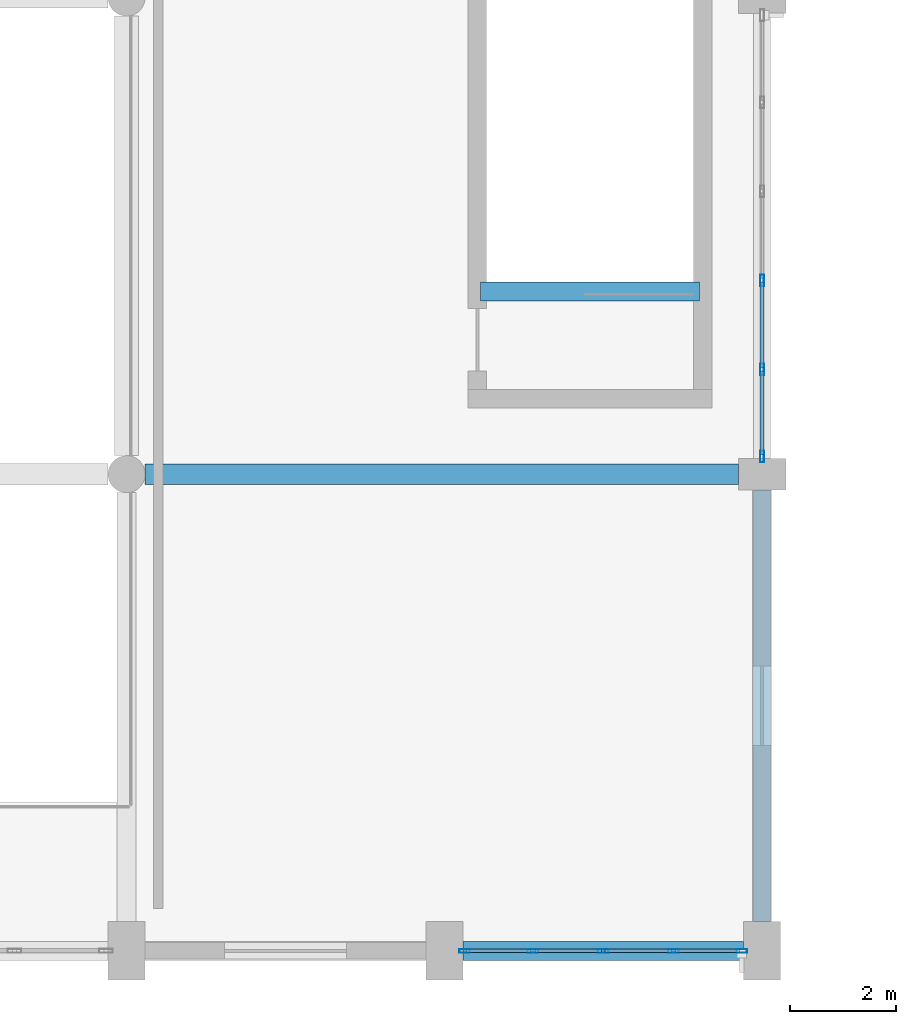
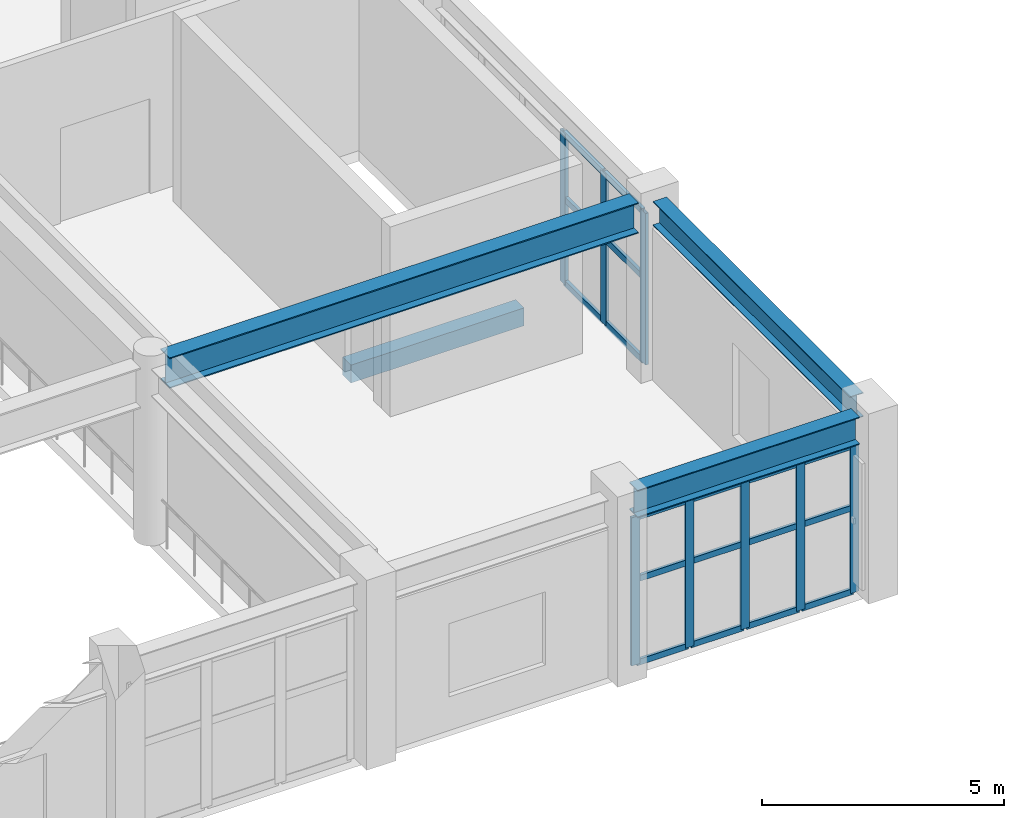
# One storey, part 24 of 80: 26 members, 4 beams, 2 elements without a shape of their own.
"""IFC4 building model written with IfcOpenShell, lengths in metres."""

from ifc_helpers import new_model, si_unit, direction, frame, origin, origin_2d, place, context, subcontext, project, spatial, rectangle, hollow_rectangle, i_section, extrude, material, layer, layer_set, material_profile, profile_set, type_object, element, aggregate, save


model = new_model("IFC4")

# Units and contexts
model_context = context("Model", 3, precision=1e-05, world=origin(), true_north=direction((0.0, 1.0)))
body_context = subcontext(model_context, "Body", "Model", "MODEL_VIEW")
ifc_project = project(units=[si_unit("LENGTHUNIT", "METRE"), si_unit("AREAUNIT", "SQUARE_METRE"), si_unit("VOLUMEUNIT", "CUBIC_METRE"), si_unit("PLANEANGLEUNIT", "RADIAN"), si_unit("MASSUNIT", "GRAM", prefix="KILO")], contexts=[model_context])

# Site, building, storey
site_placement = place(None, origin())
site = spatial("IfcSite", under=ifc_project, at=site_placement, CompositionType="ELEMENT")
building_placement = place(site_placement, origin())
building = spatial("IfcBuilding", under=site, at=building_placement, Name="Vaelkrest Opera House", CompositionType="ELEMENT")
storey_placement = place(building_placement, frame((0.0, 0.0, 15.0)))
storey = spatial("IfcBuildingStorey", under=building, at=storey_placement, Name="L03", CompositionType="ELEMENT", Elevation=15.0)

# Beam
ifc_material_1 = material(Name="Steel A992 Gr50", Category="steel")
ifc_material_profile_1 = material_profile(ifc_material_1, i_section(OverallWidth=0.381103515625, OverallDepth=0.77294921875, WebThickness=0.0166015625, FlangeThickness=0.027099609375, at=origin_2d()), Name="W30X173")
ifc_profile_set_1 = profile_set([ifc_material_profile_1], Name="Steel A992 Gr50")
beam_type_1 = type_object("IfcBeamType", Name="B11", PredefinedType="BEAM", material=ifc_profile_set_1)
beam_1_placement = place(storey_placement, frame((18.35009765625, -46.800048828125, 4.118408203125), z_axis=(1.0, 0.0, 0.0), x_axis=(0.0, 1.0, 0.0)))
element("IfcBeam", 1, at=beam_1_placement, inside=storey, type_object=beam_type_1, Name="Beam BM-V1-L03-0433", PredefinedType="BEAM", context=body_context, shape_type="SweptSolid", body=[
    extrude(i_section(OverallWidth=0.381103515625, OverallDepth=0.77294921875, WebThickness=0.0166015625, FlangeThickness=0.027099609375, at=origin_2d()), origin(), (0.0, 0.0, 1.0), 11.199951171875),
])

# Curtain wall, members
ifc_material_2 = material(Name="Dark bronze anodized aluminium", Category="aluminium")
ifc_layer_1 = layer(ifc_material_2, 0.18994140625)
ifc_layer_set_1 = layer_set([ifc_layer_1], Name="Dark bronze anodized aluminium")
curtain_wall_type_1 = type_object("IfcCurtainWallType", Name="CW02", PredefinedType="NOTDEFINED", material=ifc_layer_set_1)
curtain_wall_1_placement = place(storey_placement, origin())
curtain_wall_1 = element("IfcCurtainWall", 2, at=curtain_wall_1_placement, inside=storey, type_object=curtain_wall_type_1, Name="Curtain wall CW-L03-042", PredefinedType="NOTDEFINED")
ifc_material_profile_2 = material_profile(ifc_material_2, hollow_rectangle(XDim=0.070068359375, YDim=0.199951171875, WallThickness=0.004150390625, at=origin_2d()), Name="CWM70X200")
ifc_profile_set_2 = profile_set([ifc_material_profile_2], Name="Dark bronze anodized aluminium")
member_type_1 = type_object("IfcMemberType", Name="CWM02", PredefinedType="MULLION", material=ifc_profile_set_2)
member_1_placement = place(storey_placement, frame((29.616943359375, -55.800048828125, 0.0), z_axis=(0.0, 0.0, 1.0), x_axis=(0.0, -1.0, 0.0)))
member_1 = element("IfcMember", 3, at=member_1_placement, type_object=member_type_1, Name="CW02 mullion 1", PredefinedType="MULLION", context=body_context, shape_type="SweptSolid", body=[
    extrude(hollow_rectangle(XDim=0.070068359375, YDim=0.199951171875, WallThickness=0.004150390625, at=origin_2d()), origin(), (0.0, 0.0, 1.0), 3.7451171875),
])
member_2_placement = place(storey_placement, frame((28.325927734375, -55.800048828125, 0.0), z_axis=(0.0, 0.0, 1.0), x_axis=(0.0, -1.0, 0.0)))
member_2 = element("IfcMember", 4, at=member_2_placement, type_object=member_type_1, Name="CW02 mullion 2", PredefinedType="MULLION", context=body_context, shape_type="SweptSolid", body=[
    extrude(hollow_rectangle(XDim=0.070068359375, YDim=0.199951171875, WallThickness=0.004150390625, at=origin_2d()), origin(), (0.0, 0.0, 1.0), 3.7451171875),
])
member_3_placement = place(storey_placement, frame((27.0, -55.800048828125, 0.0), z_axis=(0.0, 0.0, 1.0), x_axis=(0.0, -1.0, 0.0)))
member_3 = element("IfcMember", 5, at=member_3_placement, type_object=member_type_1, Name="CW02 mullion 3", PredefinedType="MULLION", context=body_context, shape_type="SweptSolid", body=[
    extrude(hollow_rectangle(XDim=0.070068359375, YDim=0.199951171875, WallThickness=0.004150390625, at=origin_2d()), origin(), (0.0, 0.0, 1.0), 3.7451171875),
])
member_4_placement = place(storey_placement, frame((25.674072265625, -55.800048828125, 0.0), z_axis=(0.0, 0.0, 1.0), x_axis=(0.0, -1.0, 0.0)))
member_4 = element("IfcMember", 6, at=member_4_placement, type_object=member_type_1, Name="CW02 mullion 4", PredefinedType="MULLION", context=body_context, shape_type="SweptSolid", body=[
    extrude(hollow_rectangle(XDim=0.070068359375, YDim=0.199951171875, WallThickness=0.004150390625, at=origin_2d()), origin(), (0.0, 0.0, 1.0), 3.7451171875),
])
member_5_placement = place(storey_placement, frame((24.383056640625, -55.800048828125, 0.0), z_axis=(0.0, 0.0, 1.0), x_axis=(0.0, -1.0, 0.0)))
member_5 = element("IfcMember", 7, at=member_5_placement, type_object=member_type_1, Name="CW02 mullion 5", PredefinedType="MULLION", context=body_context, shape_type="SweptSolid", body=[
    extrude(hollow_rectangle(XDim=0.070068359375, YDim=0.199951171875, WallThickness=0.004150390625, at=origin_2d()), origin(), (0.0, 0.0, 1.0), 3.7451171875),
])

ifc_layer_2 = layer(ifc_material_2, 0.199951171875)
ifc_layer_set_2 = layer_set([ifc_layer_2], Name="Dark bronze anodized aluminium")
curtain_wall_type_2 = type_object("IfcCurtainWallType", Name="CW03", PredefinedType="NOTDEFINED", material=ifc_layer_set_2)
curtain_wall_2_placement = place(storey_placement, origin())
curtain_wall_2 = element("IfcCurtainWall", 8, at=curtain_wall_2_placement, inside=storey, type_object=curtain_wall_type_2, Name="Curtain wall CW-L03-054", PredefinedType="NOTDEFINED")
ifc_material_profile_3 = material_profile(ifc_material_2, hollow_rectangle(XDim=0.074951171875, YDim=0.219970703125, WallThickness=0.00439453125, at=origin_2d()), Name="CWM75X220")
ifc_profile_set_3 = profile_set([ifc_material_profile_3], Name="Dark bronze anodized aluminium")
member_type_2 = type_object("IfcMemberType", Name="CWM03", PredefinedType="MULLION", material=ifc_profile_set_3)
member_6_placement = place(storey_placement, frame((30.0, -43.140380859375, 0.0), z_axis=(0.0, 0.0, 1.0), x_axis=(1.0, 0.0, 0.0)))
member_6 = element("IfcMember", 9, at=member_6_placement, type_object=member_type_2, Name="CW03 mullion 4", PredefinedType="MULLION", context=body_context, shape_type="SweptSolid", body=[
    extrude(hollow_rectangle(XDim=0.074951171875, YDim=0.219970703125, WallThickness=0.00439453125, at=origin_2d()), origin(), (0.0, 0.0, 1.0), 3.8291015625),
])
member_7_placement = place(storey_placement, frame((30.0, -44.8212890625, 0.0), z_axis=(0.0, 0.0, 1.0), x_axis=(1.0, 0.0, 0.0)))
member_7 = element("IfcMember", 10, at=member_7_placement, type_object=member_type_2, Name="CW03 mullion 5", PredefinedType="MULLION", context=body_context, shape_type="SweptSolid", body=[
    extrude(hollow_rectangle(XDim=0.074951171875, YDim=0.219970703125, WallThickness=0.00439453125, at=origin_2d()), origin(), (0.0, 0.0, 1.0), 3.8291015625),
])
member_8_placement = place(storey_placement, frame((30.0, -46.464599609375, 0.0), z_axis=(0.0, 0.0, 1.0), x_axis=(1.0, 0.0, 0.0)))
member_8 = element("IfcMember", 11, at=member_8_placement, type_object=member_type_2, Name="CW03 mullion 6", PredefinedType="MULLION", context=body_context, shape_type="SweptSolid", body=[
    extrude(hollow_rectangle(XDim=0.074951171875, YDim=0.219970703125, WallThickness=0.00439453125, at=origin_2d()), origin(), (0.0, 0.0, 1.0), 3.8291015625),
])

# Member
ifc_material_profile_4 = material_profile(ifc_material_2, hollow_rectangle(XDim=0.070068359375, YDim=0.14990234375, WallThickness=0.004150390625, at=origin_2d()), Name="CWT70X150")
ifc_profile_set_4 = profile_set([ifc_material_profile_4], Name="Dark bronze anodized aluminium")
member_type_3 = type_object("IfcMemberType", Name="CWT02", PredefinedType="USERDEFINED", material=ifc_profile_set_4)
member_9_placement = place(storey_placement, frame((29.58203125, -55.800048828125, 0.034912109375), z_axis=(-1.0, 0.0, 0.0), x_axis=(0.0, -1.0, 0.0)))
member_9 = element("IfcMember", 12, at=member_9_placement, type_object=member_type_3, Name="CW02 transom 1.1", ObjectType="TRANSOM", PredefinedType="USERDEFINED", context=body_context, shape_type="SweptSolid", body=[
    extrude(hollow_rectangle(XDim=0.070068359375, YDim=0.14990234375, WallThickness=0.004150390625, at=origin_2d()), origin(), (0.0, 0.0, 1.0), 1.220947265625),
])

member_10_placement = place(storey_placement, frame((29.58203125, -55.800048828125, 2.14990234375), z_axis=(-1.0, 0.0, 0.0), x_axis=(0.0, -1.0, 0.0)))
member_10 = element("IfcMember", 13, at=member_10_placement, type_object=member_type_3, Name="CW02 transom 1.2", ObjectType="TRANSOM", PredefinedType="USERDEFINED", context=body_context, shape_type="SweptSolid", body=[
    extrude(hollow_rectangle(XDim=0.070068359375, YDim=0.14990234375, WallThickness=0.004150390625, at=origin_2d()), origin(), (0.0, 0.0, 1.0), 1.220947265625),
])

member_11_placement = place(storey_placement, frame((29.58203125, -55.800048828125, 3.7099609375), z_axis=(-1.0, 0.0, 0.0), x_axis=(0.0, -1.0, 0.0)))
member_11 = element("IfcMember", 14, at=member_11_placement, type_object=member_type_3, Name="CW02 transom 1.3", ObjectType="TRANSOM", PredefinedType="USERDEFINED", context=body_context, shape_type="SweptSolid", body=[
    extrude(hollow_rectangle(XDim=0.070068359375, YDim=0.14990234375, WallThickness=0.004150390625, at=origin_2d()), origin(), (0.0, 0.0, 1.0), 1.220947265625),
])

member_12_placement = place(storey_placement, frame((28.291015625, -55.800048828125, 0.034912109375), z_axis=(-1.0, 0.0, 0.0), x_axis=(0.0, -1.0, 0.0)))
member_12 = element("IfcMember", 15, at=member_12_placement, type_object=member_type_3, Name="CW02 transom 2.1", ObjectType="TRANSOM", PredefinedType="USERDEFINED", context=body_context, shape_type="SweptSolid", body=[
    extrude(hollow_rectangle(XDim=0.070068359375, YDim=0.14990234375, WallThickness=0.004150390625, at=origin_2d()), origin(), (0.0, 0.0, 1.0), 1.256103515625),
])

member_13_placement = place(storey_placement, frame((28.291015625, -55.800048828125, 2.14990234375), z_axis=(-1.0, 0.0, 0.0), x_axis=(0.0, -1.0, 0.0)))
member_13 = element("IfcMember", 16, at=member_13_placement, type_object=member_type_3, Name="CW02 transom 2.2", ObjectType="TRANSOM", PredefinedType="USERDEFINED", context=body_context, shape_type="SweptSolid", body=[
    extrude(hollow_rectangle(XDim=0.070068359375, YDim=0.14990234375, WallThickness=0.004150390625, at=origin_2d()), origin(), (0.0, 0.0, 1.0), 1.256103515625),
])

member_14_placement = place(storey_placement, frame((28.291015625, -55.800048828125, 3.7099609375), z_axis=(-1.0, 0.0, 0.0), x_axis=(0.0, -1.0, 0.0)))
member_14 = element("IfcMember", 17, at=member_14_placement, type_object=member_type_3, Name="CW02 transom 2.3", ObjectType="TRANSOM", PredefinedType="USERDEFINED", context=body_context, shape_type="SweptSolid", body=[
    extrude(hollow_rectangle(XDim=0.070068359375, YDim=0.14990234375, WallThickness=0.004150390625, at=origin_2d()), origin(), (0.0, 0.0, 1.0), 1.256103515625),
])

member_15_placement = place(storey_placement, frame((26.965087890625, -55.800048828125, 0.034912109375), z_axis=(-1.0, 0.0, 0.0), x_axis=(0.0, -1.0, 0.0)))
member_15 = element("IfcMember", 18, at=member_15_placement, type_object=member_type_3, Name="CW02 transom 3.1", ObjectType="TRANSOM", PredefinedType="USERDEFINED", context=body_context, shape_type="SweptSolid", body=[
    extrude(hollow_rectangle(XDim=0.070068359375, YDim=0.14990234375, WallThickness=0.004150390625, at=origin_2d()), origin(), (0.0, 0.0, 1.0), 1.256103515625),
])

member_16_placement = place(storey_placement, frame((26.965087890625, -55.800048828125, 2.14990234375), z_axis=(-1.0, 0.0, 0.0), x_axis=(0.0, -1.0, 0.0)))
member_16 = element("IfcMember", 19, at=member_16_placement, type_object=member_type_3, Name="CW02 transom 3.2", ObjectType="TRANSOM", PredefinedType="USERDEFINED", context=body_context, shape_type="SweptSolid", body=[
    extrude(hollow_rectangle(XDim=0.070068359375, YDim=0.14990234375, WallThickness=0.004150390625, at=origin_2d()), origin(), (0.0, 0.0, 1.0), 1.256103515625),
])

member_17_placement = place(storey_placement, frame((26.965087890625, -55.800048828125, 3.7099609375), z_axis=(-1.0, 0.0, 0.0), x_axis=(0.0, -1.0, 0.0)))
member_17 = element("IfcMember", 20, at=member_17_placement, type_object=member_type_3, Name="CW02 transom 3.3", ObjectType="TRANSOM", PredefinedType="USERDEFINED", context=body_context, shape_type="SweptSolid", body=[
    extrude(hollow_rectangle(XDim=0.070068359375, YDim=0.14990234375, WallThickness=0.004150390625, at=origin_2d()), origin(), (0.0, 0.0, 1.0), 1.256103515625),
])

member_18_placement = place(storey_placement, frame((25.638916015625, -55.800048828125, 0.034912109375), z_axis=(-1.0, 0.0, 0.0), x_axis=(0.0, -1.0, 0.0)))
member_18 = element("IfcMember", 21, at=member_18_placement, type_object=member_type_3, Name="CW02 transom 4.1", ObjectType="TRANSOM", PredefinedType="USERDEFINED", context=body_context, shape_type="SweptSolid", body=[
    extrude(hollow_rectangle(XDim=0.070068359375, YDim=0.14990234375, WallThickness=0.004150390625, at=origin_2d()), origin(), (0.0, 0.0, 1.0), 1.220947265625),
])

member_19_placement = place(storey_placement, frame((25.638916015625, -55.800048828125, 2.14990234375), z_axis=(-1.0, 0.0, 0.0), x_axis=(0.0, -1.0, 0.0)))
member_19 = element("IfcMember", 22, at=member_19_placement, type_object=member_type_3, Name="CW02 transom 4.2", ObjectType="TRANSOM", PredefinedType="USERDEFINED", context=body_context, shape_type="SweptSolid", body=[
    extrude(hollow_rectangle(XDim=0.070068359375, YDim=0.14990234375, WallThickness=0.004150390625, at=origin_2d()), origin(), (0.0, 0.0, 1.0), 1.220947265625),
])

member_20_placement = place(storey_placement, frame((25.638916015625, -55.800048828125, 3.7099609375), z_axis=(-1.0, 0.0, 0.0), x_axis=(0.0, -1.0, 0.0)))
member_20 = element("IfcMember", 23, at=member_20_placement, type_object=member_type_3, Name="CW02 transom 4.3", ObjectType="TRANSOM", PredefinedType="USERDEFINED", context=body_context, shape_type="SweptSolid", body=[
    extrude(hollow_rectangle(XDim=0.070068359375, YDim=0.14990234375, WallThickness=0.004150390625, at=origin_2d()), origin(), (0.0, 0.0, 1.0), 1.220947265625),
])

aggregate(curtain_wall_1, [member_1, member_2, member_3, member_4, member_5, member_9, member_10, member_11, member_12, member_13, member_14, member_15, member_16, member_17, member_18, member_19, member_20])

ifc_material_profile_5 = material_profile(ifc_material_2, hollow_rectangle(XDim=0.074951171875, YDim=0.159912109375, WallThickness=0.00439453125, at=origin_2d()), Name="CWT75X160")
ifc_profile_set_5 = profile_set([ifc_material_profile_5], Name="Dark bronze anodized aluminium")
member_type_4 = type_object("IfcMemberType", Name="CWT03", PredefinedType="USERDEFINED", material=ifc_profile_set_5)
member_21_placement = place(storey_placement, frame((30.0, -43.177978515625, 0.03759765625), z_axis=(0.0, -1.0, 0.0), x_axis=(1.0, 0.0, 0.0)))
member_21 = element("IfcMember", 24, at=member_21_placement, type_object=member_type_4, Name="CW03 transom 4.1", ObjectType="TRANSOM", PredefinedType="USERDEFINED", context=body_context, shape_type="SweptSolid", body=[
    extrude(hollow_rectangle(XDim=0.074951171875, YDim=0.159912109375, WallThickness=0.00439453125, at=origin_2d()), origin(), (0.0, 0.0, 1.0), 1.605712890625),
])

member_22_placement = place(storey_placement, frame((30.0, -43.177978515625, 2.14990234375), z_axis=(0.0, -1.0, 0.0), x_axis=(1.0, 0.0, 0.0)))
member_22 = element("IfcMember", 25, at=member_22_placement, type_object=member_type_4, Name="CW03 transom 4.2", ObjectType="TRANSOM", PredefinedType="USERDEFINED", context=body_context, shape_type="SweptSolid", body=[
    extrude(hollow_rectangle(XDim=0.074951171875, YDim=0.159912109375, WallThickness=0.00439453125, at=origin_2d()), origin(), (0.0, 0.0, 1.0), 1.605712890625),
])

member_23_placement = place(storey_placement, frame((30.0, -43.177978515625, 3.79150390625), z_axis=(0.0, -1.0, 0.0), x_axis=(1.0, 0.0, 0.0)))
member_23 = element("IfcMember", 26, at=member_23_placement, type_object=member_type_4, Name="CW03 transom 4.3", ObjectType="TRANSOM", PredefinedType="USERDEFINED", context=body_context, shape_type="SweptSolid", body=[
    extrude(hollow_rectangle(XDim=0.074951171875, YDim=0.159912109375, WallThickness=0.00439453125, at=origin_2d()), origin(), (0.0, 0.0, 1.0), 1.605712890625),
])

member_24_placement = place(storey_placement, frame((30.0, -44.858642578125, 0.03759765625), z_axis=(0.0, -1.0, 0.0), x_axis=(1.0, 0.0, 0.0)))
member_24 = element("IfcMember", 27, at=member_24_placement, type_object=member_type_4, Name="CW03 transom 5.1", ObjectType="TRANSOM", PredefinedType="USERDEFINED", context=body_context, shape_type="SweptSolid", body=[
    extrude(hollow_rectangle(XDim=0.074951171875, YDim=0.159912109375, WallThickness=0.00439453125, at=origin_2d()), origin(), (0.0, 0.0, 1.0), 1.568359375),
])

member_25_placement = place(storey_placement, frame((30.0, -44.858642578125, 2.14990234375), z_axis=(0.0, -1.0, 0.0), x_axis=(1.0, 0.0, 0.0)))
member_25 = element("IfcMember", 28, at=member_25_placement, type_object=member_type_4, Name="CW03 transom 5.2", ObjectType="TRANSOM", PredefinedType="USERDEFINED", context=body_context, shape_type="SweptSolid", body=[
    extrude(hollow_rectangle(XDim=0.074951171875, YDim=0.159912109375, WallThickness=0.00439453125, at=origin_2d()), origin(), (0.0, 0.0, 1.0), 1.568359375),
])

member_26_placement = place(storey_placement, frame((30.0, -44.858642578125, 3.79150390625), z_axis=(0.0, -1.0, 0.0), x_axis=(1.0, 0.0, 0.0)))
member_26 = element("IfcMember", 29, at=member_26_placement, type_object=member_type_4, Name="CW03 transom 5.3", ObjectType="TRANSOM", PredefinedType="USERDEFINED", context=body_context, shape_type="SweptSolid", body=[
    extrude(hollow_rectangle(XDim=0.074951171875, YDim=0.159912109375, WallThickness=0.00439453125, at=origin_2d()), origin(), (0.0, 0.0, 1.0), 1.568359375),
])

aggregate(curtain_wall_2, [member_6, member_7, member_8, member_21, member_22, member_23, member_24, member_25, member_26])

# Beams
ifc_material_3 = material(Name="Concrete C50/60", Category="concrete")
ifc_material_profile_6 = material_profile(ifc_material_3, rectangle(XDim=0.35009765625, YDim=0.449951171875, at=origin_2d()), Name="RCB350X450")
ifc_profile_set_6 = profile_set([ifc_material_profile_6], Name="Concrete C50/60")
beam_type_2 = type_object("IfcBeamType", Name="LN01", PredefinedType="LINTEL", material=ifc_profile_set_6)
beam_2_placement = place(storey_placement, frame((24.679931640625, -43.35009765625, -0.22509765625), z_axis=(1.0, 0.0, 0.0), x_axis=(0.0, 1.0, 0.0)))
element("IfcBeam", 30, at=beam_2_placement, inside=storey, type_object=beam_type_2, Name="Stairwell trimmer beam ST04 L03", PredefinedType="LINTEL", context=body_context, shape_type="SweptSolid", body=[
    extrude(rectangle(XDim=0.35009765625, YDim=0.449951171875, at=origin_2d()), origin(), (0.0, 0.0, 1.0), 4.14013671875),
])
ifc_material_profile_7 = material_profile(ifc_material_1, i_section(OverallWidth=0.323974609375, OverallDepth=0.611083984375, WebThickness=0.0126953125, FlangeThickness=0.01904296875, at=origin_2d()), Name="W24X104")
ifc_profile_set_7 = profile_set([ifc_material_profile_7], Name="Steel A992 Gr50")
beam_type_3 = type_object("IfcBeamType", Name="SP01", PredefinedType="SPANDREL", material=ifc_profile_set_7)
beam_3_placement = place(storey_placement, frame((30.0, -55.25, 4.199462890625), z_axis=(0.0, 1.0, 0.0), x_axis=(-1.0, 0.0, 0.0)))
element("IfcBeam", 31, at=beam_3_placement, inside=storey, type_object=beam_type_3, Name="Beam BM-V1-L03-0507", PredefinedType="SPANDREL", context=body_context, shape_type="SweptSolid", body=[
    extrude(i_section(OverallWidth=0.323974609375, OverallDepth=0.611083984375, WebThickness=0.0126953125, FlangeThickness=0.01904296875, at=origin_2d()), origin(), (0.0, 0.0, 1.0), 8.14990234375),
])
ifc_material_profile_8 = material_profile(ifc_material_1, i_section(OverallWidth=0.35498046875, OverallDepth=0.695068359375, WebThickness=0.015380859375, FlangeThickness=0.02490234375, at=origin_2d()), Name="W27X146")
ifc_profile_set_8 = profile_set([ifc_material_profile_8], Name="Steel A992 Gr50")
beam_type_4 = type_object("IfcBeamType", Name="SP02", PredefinedType="SPANDREL", material=ifc_profile_set_8)
beam_4_placement = place(storey_placement, frame((24.35009765625, -55.800048828125, 4.157470703125), z_axis=(1.0, 0.0, 0.0), x_axis=(0.0, 1.0, 0.0)))
element("IfcBeam", 32, at=beam_4_placement, inside=storey, type_object=beam_type_4, Name="Beam BM-V1-L03-0430", PredefinedType="SPANDREL", context=body_context, shape_type="SweptSolid", body=[
    extrude(i_section(OverallWidth=0.35498046875, OverallDepth=0.695068359375, WebThickness=0.015380859375, FlangeThickness=0.02490234375, at=origin_2d()), origin(), (0.0, 0.0, 1.0), 5.2998046875),
])

save(model, "model.ifc")
